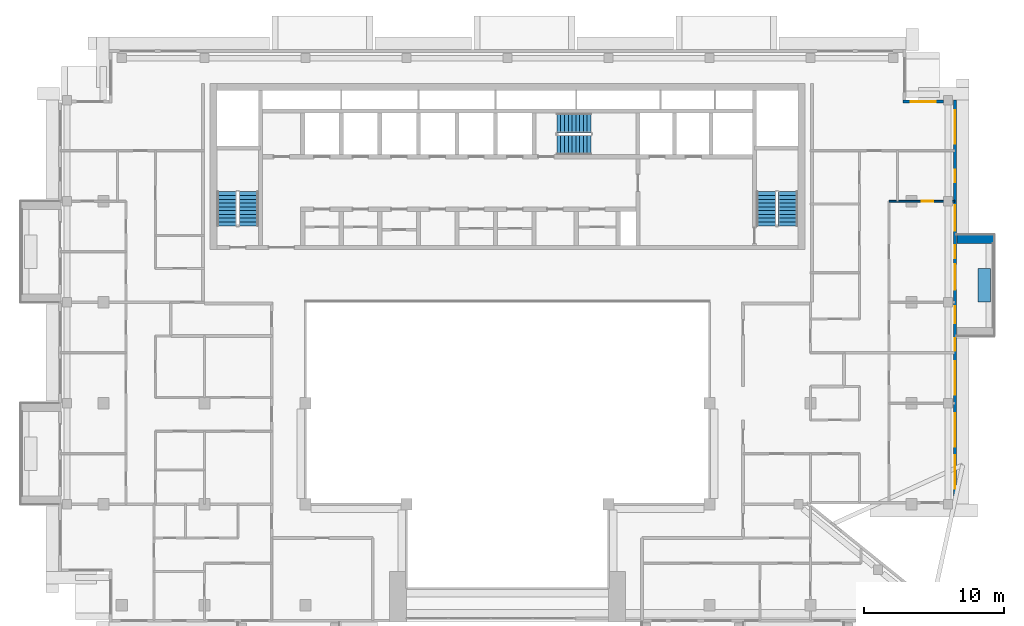
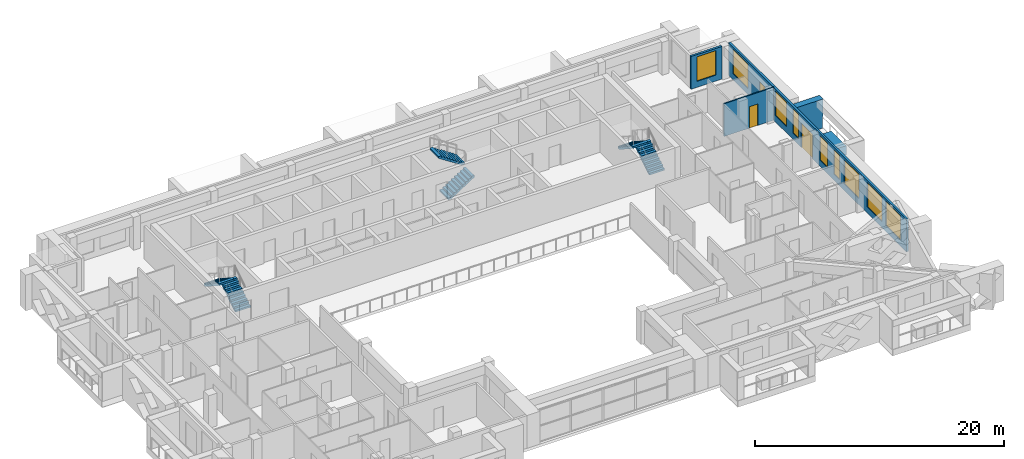
# One storey, part 12 of 19: 10 windows, 6 stair flights, 5 walls, 2 doors, 12 openings, 3 elements without a shape of their own.
"""IFC4 building model written with IfcOpenShell, lengths in metres."""

from ifc_helpers import new_model, si_unit, direction, frame, frame_2d, origin, place, context, subcontext, project, spatial, polyline, rectangle, outline, extrude, material, layer, layer_set, type_object, element, fill, aggregate, save


model = new_model("IFC4")

# Units and contexts
model_context = context("Model", 3, precision=1e-05, world=origin(), true_north=direction((0.0, 1.0)))
body_context = subcontext(model_context, "Body", "Model", "MODEL_VIEW")
ifc_project = project(units=[si_unit("LENGTHUNIT", "METRE"), si_unit("AREAUNIT", "SQUARE_METRE"), si_unit("VOLUMEUNIT", "CUBIC_METRE"), si_unit("PLANEANGLEUNIT", "RADIAN"), si_unit("MASSUNIT", "GRAM", prefix="KILO")], contexts=[model_context])

# Site, building, storey
site_placement = place(None, origin())
site = spatial("IfcSite", under=ifc_project, at=site_placement, CompositionType="ELEMENT")
building_placement = place(site_placement, origin())
building = spatial("IfcBuilding", under=site, at=building_placement, Name="Saffron Iwan Residences", CompositionType="ELEMENT")
storey_placement = place(building_placement, frame((0.0, 0.0, 246.5)))
storey = spatial("IfcBuildingStorey", under=building, at=storey_placement, Name="L66", CompositionType="ELEMENT", Elevation=246.5)

# Walls
ifc_material_1 = material(Name="Concrete C50/60 white painted", Category="concrete")
ifc_layer_1 = layer(ifc_material_1, 0.60009765625)
ifc_layer_set_1 = layer_set([ifc_layer_1], Name="Concrete C50/60 white painted")
wall_type_1 = type_object("IfcWallType", Name="BALCONY FIN 600", PredefinedType="SOLIDWALL", material=ifc_layer_set_1)
wall_1_placement = place(storey_placement, frame((82.449951171875, 66.89990234375, 0.0), z_axis=(0.0, 0.0, 1.0), x_axis=(1.0, 0.0, 0.0)))
element("IfcWall", 1, at=wall_1_placement, inside=storey, type_object=wall_type_1, Name="Balcony fin L66 F2-0b", PredefinedType="SOLIDWALL", context=body_context, shape_type="SweptSolid", body=[
    extrude(rectangle(XDim=2.650146484375, YDim=0.60009765625, at=frame_2d((1.3251953125, 0.0))), origin(), (0.0, 0.0, 1.0), 2.85009765625),
])
ifc_material_2 = material(Name="Concrete C35/45 white painted", Category="concrete")
ifc_layer_2 = layer(ifc_material_2, 0.14990234375)
ifc_layer_set_2 = layer_set([ifc_layer_2], Name="Concrete C35/45 white painted")
wall_type_2 = type_object("IfcWallType", Name="BALCONY PLANTER", PredefinedType="SOLIDWALL", material=ifc_layer_set_2)
wall_2_placement = place(storey_placement, frame((84.375, 62.39990234375, 0.0), z_axis=(0.0, 0.0, 1.0), x_axis=(0.0, 1.0, 0.0)))
element("IfcWall", 2, at=wall_2_placement, inside=storey, type_object=wall_type_2, Name="PLANTER L66 F2-0", PredefinedType="SOLIDWALL", context=body_context, shape_type="SweptSolid", body=[
    extrude(rectangle(XDim=2.400146484375, YDim=0.89990234375, at=frame_2d((1.2001953125, 0.0))), origin(), (0.0, 0.0, 1.0), 0.89990234375),
])

# Wall, openings, door, windows
ifc_material_3 = material(Name="Concrete C40/50", Category="concrete")
ifc_layer_3 = layer(ifc_material_3, 0.199951171875)
ifc_layer_set_3 = layer_set([ifc_layer_3], Name="Concrete C40/50")
wall_type_3 = type_object("IfcWallType", Name="EXTERNAL WALL 200", PredefinedType="SOLIDWALL", material=ifc_layer_set_3)
wall_3_placement = place(storey_placement, frame((82.300048828125, 48.199951171875, 0.0), z_axis=(0.0, 0.0, 1.0), x_axis=(0.0, 1.0, 0.0)))
wall_3 = element("IfcWall", 3, at=wall_3_placement, inside=storey, type_object=wall_type_3, Name="External wall L66 F2.0", PredefinedType="SOLIDWALL", context=body_context, shape_type="SweptSolid", body=[
    extrude(rectangle(XDim=28.60009765625, YDim=0.199951171875, at=frame_2d((14.300048828125, 0.0))), origin(), (0.0, 0.0, 1.0), 3.219970703125),
])
opening_1_placement = place(wall_3_placement, frame((15.10009765625, 0.0, 0.0)))
opening_1 = element("IfcOpeningElement", 4, at=opening_1_placement, cuts=wall_3, Name="Opening BD1", PredefinedType="OPENING", context=body_context, shape_type="SweptSolid", body=[
    extrude(rectangle(XDim=1.800048828125, YDim=2.39990234375, at=frame_2d((0.89990234375, 1.199951171875))), frame((0.0, 0.10986328125, 0.0), z_axis=(0.0, -1.0, 0.0), x_axis=(1.0, 0.0, 0.0)), (0.0, 0.0, 1.0), 0.219970703125),
])
opening_2_placement = place(wall_3_placement, frame((0.89990234375, 0.0, 0.60009765625)))
opening_2 = element("IfcOpeningElement", 5, at=opening_2_placement, cuts=wall_3, Name="Opening W1", PredefinedType="OPENING", context=body_context, shape_type="SweptSolid", body=[
    extrude(rectangle(XDim=2.39990234375, YDim=2.39990234375, at=frame_2d((1.199951171875, 1.199951171875))), frame((0.0, 0.10986328125, 0.0), z_axis=(0.0, -1.0, 0.0), x_axis=(1.0, 0.0, 0.0)), (0.0, 0.0, 1.0), 0.219970703125),
])
opening_3_placement = place(wall_3_placement, frame((3.89990234375, 0.0, 0.60009765625)))
opening_3 = element("IfcOpeningElement", 6, at=opening_3_placement, cuts=wall_3, Name="Opening W1", PredefinedType="OPENING", context=body_context, shape_type="SweptSolid", body=[
    extrude(rectangle(XDim=2.39990234375, YDim=2.39990234375, at=frame_2d((1.199951171875, 1.199951171875))), frame((0.0, 0.10986328125, 0.0), z_axis=(0.0, -1.0, 0.0), x_axis=(1.0, 0.0, 0.0)), (0.0, 0.0, 1.0), 0.219970703125),
])
opening_4_placement = place(wall_3_placement, frame((7.60009765625, 0.0, 0.60009765625)))
opening_4 = element("IfcOpeningElement", 7, at=opening_4_placement, cuts=wall_3, Name="Opening W1", PredefinedType="OPENING", context=body_context, shape_type="SweptSolid", body=[
    extrude(rectangle(XDim=2.39990234375, YDim=2.39990234375, at=frame_2d((1.199951171875, 1.199951171875))), frame((0.0, 0.10986328125, 0.0), z_axis=(0.0, -1.0, 0.0), x_axis=(1.0, 0.0, 0.0)), (0.0, 0.0, 1.0), 0.219970703125),
])
opening_5_placement = place(wall_3_placement, frame((10.75, 0.0, 0.60009765625)))
opening_5 = element("IfcOpeningElement", 8, at=opening_5_placement, cuts=wall_3, Name="Opening W10", PredefinedType="OPENING", context=body_context, shape_type="SweptSolid", body=[
    extrude(rectangle(XDim=0.89990234375, YDim=2.39990234375, at=frame_2d((0.449951171875, 1.199951171875))), frame((0.0, 0.10986328125, 0.0), z_axis=(0.0, -1.0, 0.0), x_axis=(1.0, 0.0, 0.0)), (0.0, 0.0, 1.0), 0.219970703125),
])
opening_6_placement = place(wall_3_placement, frame((12.699951171875, 0.0, 0.60009765625)))
opening_6 = element("IfcOpeningElement", 9, at=opening_6_placement, cuts=wall_3, Name="Opening W3", PredefinedType="OPENING", context=body_context, shape_type="SweptSolid", body=[
    extrude(rectangle(XDim=1.199951171875, YDim=2.39990234375, at=frame_2d((0.60009765625, 1.199951171875))), frame((0.0, 0.10986328125, 0.0), z_axis=(0.0, -1.0, 0.0), x_axis=(1.0, 0.0, 0.0)), (0.0, 0.0, 1.0), 0.219970703125),
])
opening_7_placement = place(wall_3_placement, frame((17.35009765625, 0.0, 0.60009765625)))
opening_7 = element("IfcOpeningElement", 10, at=opening_7_placement, cuts=wall_3, Name="Opening W10", PredefinedType="OPENING", context=body_context, shape_type="SweptSolid", body=[
    extrude(rectangle(XDim=0.89990234375, YDim=2.39990234375, at=frame_2d((0.449951171875, 1.199951171875))), frame((0.0, 0.10986328125, 0.0), z_axis=(0.0, -1.0, 0.0), x_axis=(1.0, 0.0, 0.0)), (0.0, 0.0, 1.0), 0.219970703125),
])
opening_8_placement = place(wall_3_placement, frame((19.300048828125, 0.0, 0.60009765625)))
opening_8 = element("IfcOpeningElement", 11, at=opening_8_placement, cuts=wall_3, Name="Opening W8", PredefinedType="OPENING", context=body_context, shape_type="SweptSolid", body=[
    extrude(rectangle(XDim=1.800048828125, YDim=2.39990234375, at=frame_2d((0.89990234375, 1.199951171875))), frame((0.0, 0.10986328125, 0.0), z_axis=(0.0, -1.0, 0.0), x_axis=(1.0, 0.0, 0.0)), (0.0, 0.0, 1.0), 0.219970703125),
])
opening_9_placement = place(wall_3_placement, frame((22.75, 0.0, 1.5)))
opening_9 = element("IfcOpeningElement", 12, at=opening_9_placement, cuts=wall_3, Name="Opening W6", PredefinedType="OPENING", context=body_context, shape_type="SweptSolid", body=[
    extrude(rectangle(XDim=0.89990234375, YDim=0.89990234375, at=frame_2d((0.449951171875, 0.449951171875))), frame((0.0, 0.10986328125, 0.0), z_axis=(0.0, -1.0, 0.0), x_axis=(1.0, 0.0, 0.0)), (0.0, 0.0, 1.0), 0.219970703125),
])
opening_10_placement = place(wall_3_placement, frame((25.5, 0.0, 0.60009765625)))
opening_10 = element("IfcOpeningElement", 13, at=opening_10_placement, cuts=wall_3, Name="Opening W1", PredefinedType="OPENING", context=body_context, shape_type="SweptSolid", body=[
    extrude(rectangle(XDim=2.39990234375, YDim=2.39990234375, at=frame_2d((1.199951171875, 1.199951171875))), frame((0.0, 0.10986328125, 0.0), z_axis=(0.0, -1.0, 0.0), x_axis=(1.0, 0.0, 0.0)), (0.0, 0.0, 1.0), 0.219970703125),
])
ifc_material_4 = material(Name="Clear glass, laminated double glazed", Category="glass")
door_type_1 = type_object("IfcDoorType", Name="BALCONY DOOR 1800 x 2400", OperationType="DOUBLE_DOOR_SLIDING", PredefinedType="DOOR", material=ifc_material_4)
door_1_placement = place(opening_1_placement, origin())
door_1 = element("IfcDoor", 14, at=door_1_placement, inside=storey, type_object=door_type_1, Name="Balcony door L66 F2.0", OperationType="DOUBLE_DOOR_SLIDING", OverallHeight=2.39990234375, OverallWidth=1.800048828125, PredefinedType="DOOR", context=body_context, shape_type="SweptSolid", body=[
    extrude(rectangle(XDim=1.800048828125, YDim=2.39990234375, at=frame_2d((0.89990234375, 1.199951171875))), frame((0.0, 0.02490234375, 0.0), z_axis=(0.0, -1.0, 0.0), x_axis=(1.0, 0.0, 0.0)), (0.0, 0.0, 1.0), 0.050048828125),
])
fill(opening_1, door_1)
window_type_1 = type_object("IfcWindowType", Name="WINDOW 1200 x 2400", PartitioningType="SINGLE_PANEL", PredefinedType="WINDOW", material=ifc_material_4)
window_1_placement = place(opening_6_placement, origin())
window_1 = element("IfcWindow", 15, at=window_1_placement, inside=storey, type_object=window_type_1, Name="Window L66 F2.5", OverallHeight=2.39990234375, OverallWidth=1.199951171875, PartitioningType="SINGLE_PANEL", PredefinedType="WINDOW", context=body_context, shape_type="SweptSolid", body=[
    extrude(rectangle(XDim=1.199951171875, YDim=2.39990234375, at=frame_2d((0.60009765625, 1.199951171875))), frame((0.0, 0.030029296875, 0.0), z_axis=(0.0, -1.0, 0.0), x_axis=(1.0, 0.0, 0.0)), (0.0, 0.0, 1.0), 0.06005859375),
])
fill(opening_6, window_1)
window_type_2 = type_object("IfcWindowType", Name="WINDOW 1800 x 2400", PartitioningType="DOUBLE_PANEL_VERTICAL", PredefinedType="WINDOW", material=ifc_material_4)
window_2_placement = place(opening_8_placement, origin())
window_2 = element("IfcWindow", 16, at=window_2_placement, inside=storey, type_object=window_type_2, Name="Window L66 F2.7", OverallHeight=2.39990234375, OverallWidth=1.800048828125, PartitioningType="DOUBLE_PANEL_VERTICAL", PredefinedType="WINDOW", context=body_context, shape_type="SweptSolid", body=[
    extrude(rectangle(XDim=1.800048828125, YDim=2.39990234375, at=frame_2d((0.89990234375, 1.199951171875))), frame((0.0, 0.030029296875, 0.0), z_axis=(0.0, -1.0, 0.0), x_axis=(1.0, 0.0, 0.0)), (0.0, 0.0, 1.0), 0.06005859375),
])
fill(opening_8, window_2)
window_type_3 = type_object("IfcWindowType", Name="WINDOW 2400 x 2400", PartitioningType="DOUBLE_PANEL_VERTICAL", PredefinedType="WINDOW", material=ifc_material_4)
window_3_placement = place(opening_2_placement, origin())
window_3 = element("IfcWindow", 17, at=window_3_placement, inside=storey, type_object=window_type_3, Name="Window L66 F2.1", OverallHeight=2.39990234375, OverallWidth=2.39990234375, PartitioningType="DOUBLE_PANEL_VERTICAL", PredefinedType="WINDOW", context=body_context, shape_type="SweptSolid", body=[
    extrude(rectangle(XDim=2.39990234375, YDim=2.39990234375, at=frame_2d((1.199951171875, 1.199951171875))), frame((0.0, 0.030029296875, 0.0), z_axis=(0.0, -1.0, 0.0), x_axis=(1.0, 0.0, 0.0)), (0.0, 0.0, 1.0), 0.06005859375),
])
fill(opening_2, window_3)
window_4_placement = place(opening_3_placement, origin())
window_4 = element("IfcWindow", 18, at=window_4_placement, inside=storey, type_object=window_type_3, Name="Window L66 F2.2", OverallHeight=2.39990234375, OverallWidth=2.39990234375, PartitioningType="DOUBLE_PANEL_VERTICAL", PredefinedType="WINDOW", context=body_context, shape_type="SweptSolid", body=[
    extrude(rectangle(XDim=2.39990234375, YDim=2.39990234375, at=frame_2d((1.199951171875, 1.199951171875))), frame((0.0, 0.030029296875, 0.0), z_axis=(0.0, -1.0, 0.0), x_axis=(1.0, 0.0, 0.0)), (0.0, 0.0, 1.0), 0.06005859375),
])
fill(opening_3, window_4)
window_5_placement = place(opening_4_placement, origin())
window_5 = element("IfcWindow", 19, at=window_5_placement, inside=storey, type_object=window_type_3, Name="Window L66 F2.3", OverallHeight=2.39990234375, OverallWidth=2.39990234375, PartitioningType="DOUBLE_PANEL_VERTICAL", PredefinedType="WINDOW", context=body_context, shape_type="SweptSolid", body=[
    extrude(rectangle(XDim=2.39990234375, YDim=2.39990234375, at=frame_2d((1.199951171875, 1.199951171875))), frame((0.0, 0.030029296875, 0.0), z_axis=(0.0, -1.0, 0.0), x_axis=(1.0, 0.0, 0.0)), (0.0, 0.0, 1.0), 0.06005859375),
])
fill(opening_4, window_5)
window_6_placement = place(opening_10_placement, origin())
window_6 = element("IfcWindow", 20, at=window_6_placement, inside=storey, type_object=window_type_3, Name="Window L66 F2.9", OverallHeight=2.39990234375, OverallWidth=2.39990234375, PartitioningType="DOUBLE_PANEL_VERTICAL", PredefinedType="WINDOW", context=body_context, shape_type="SweptSolid", body=[
    extrude(rectangle(XDim=2.39990234375, YDim=2.39990234375, at=frame_2d((1.199951171875, 1.199951171875))), frame((0.0, 0.030029296875, 0.0), z_axis=(0.0, -1.0, 0.0), x_axis=(1.0, 0.0, 0.0)), (0.0, 0.0, 1.0), 0.06005859375),
])
fill(opening_10, window_6)
window_type_4 = type_object("IfcWindowType", Name="WINDOW 900 x 2400", PartitioningType="SINGLE_PANEL", PredefinedType="WINDOW", material=ifc_material_4)
window_7_placement = place(opening_5_placement, origin())
window_7 = element("IfcWindow", 21, at=window_7_placement, inside=storey, type_object=window_type_4, Name="Window L66 F2.4", OverallHeight=2.39990234375, OverallWidth=0.89990234375, PartitioningType="SINGLE_PANEL", PredefinedType="WINDOW", context=body_context, shape_type="SweptSolid", body=[
    extrude(rectangle(XDim=0.89990234375, YDim=2.39990234375, at=frame_2d((0.449951171875, 1.199951171875))), frame((0.0, 0.030029296875, 0.0), z_axis=(0.0, -1.0, 0.0), x_axis=(1.0, 0.0, 0.0)), (0.0, 0.0, 1.0), 0.06005859375),
])
fill(opening_5, window_7)
window_8_placement = place(opening_7_placement, origin())
window_8 = element("IfcWindow", 22, at=window_8_placement, inside=storey, type_object=window_type_4, Name="Window L66 F2.6", OverallHeight=2.39990234375, OverallWidth=0.89990234375, PartitioningType="SINGLE_PANEL", PredefinedType="WINDOW", context=body_context, shape_type="SweptSolid", body=[
    extrude(rectangle(XDim=0.89990234375, YDim=2.39990234375, at=frame_2d((0.449951171875, 1.199951171875))), frame((0.0, 0.030029296875, 0.0), z_axis=(0.0, -1.0, 0.0), x_axis=(1.0, 0.0, 0.0)), (0.0, 0.0, 1.0), 0.06005859375),
])
fill(opening_7, window_8)
window_type_5 = type_object("IfcWindowType", Name="WINDOW 900 x 900 BATH", PartitioningType="SINGLE_PANEL", PredefinedType="WINDOW", material=ifc_material_4)
window_9_placement = place(opening_9_placement, origin())
window_9 = element("IfcWindow", 23, at=window_9_placement, inside=storey, type_object=window_type_5, Name="Window L66 F2.8", OverallHeight=0.89990234375, OverallWidth=0.89990234375, PartitioningType="SINGLE_PANEL", PredefinedType="WINDOW", context=body_context, shape_type="SweptSolid", body=[
    extrude(rectangle(XDim=0.89990234375, YDim=0.89990234375, at=frame_2d((0.449951171875, 0.449951171875))), frame((0.0, 0.030029296875, 0.0), z_axis=(0.0, -1.0, 0.0), x_axis=(1.0, 0.0, 0.0)), (0.0, 0.0, 1.0), 0.06005859375),
])
fill(opening_9, window_9)

# Wall, opening, window
wall_4_placement = place(storey_placement, frame((81.47509765625, 76.699951171875, 0.0), z_axis=(0.0, 0.0, 1.0), x_axis=(-1.0, 0.0, 0.0)))
wall_4 = element("IfcWall", 24, at=wall_4_placement, inside=storey, type_object=wall_type_3, Name="External wall L66 F3.0", PredefinedType="SOLIDWALL", context=body_context, shape_type="SweptSolid", body=[
    extrude(rectangle(XDim=2.875, YDim=0.199951171875, at=frame_2d((1.4375, 0.0))), origin(), (0.0, 0.0, 1.0), 3.219970703125),
])
opening_11_placement = place(wall_4_placement, frame((0.53759765625, 0.0, 0.60009765625)))
opening_11 = element("IfcOpeningElement", 25, at=opening_11_placement, cuts=wall_4, Name="Opening W8", PredefinedType="OPENING", context=body_context, shape_type="SweptSolid", body=[
    extrude(rectangle(XDim=1.800048828125, YDim=2.39990234375, at=frame_2d((0.89990234375, 1.199951171875))), frame((0.0, 0.10986328125, 0.0), z_axis=(0.0, -1.0, 0.0), x_axis=(1.0, 0.0, 0.0)), (0.0, 0.0, 1.0), 0.219970703125),
])
window_10_placement = place(opening_11_placement, origin())
window_10 = element("IfcWindow", 26, at=window_10_placement, inside=storey, type_object=window_type_2, Name="Window L66 F3.0", OverallHeight=2.39990234375, OverallWidth=1.800048828125, PartitioningType="DOUBLE_PANEL_VERTICAL", PredefinedType="WINDOW", context=body_context, shape_type="SweptSolid", body=[
    extrude(rectangle(XDim=1.800048828125, YDim=2.39990234375, at=frame_2d((0.89990234375, 1.199951171875))), frame((0.0, 0.030029296875, 0.0), z_axis=(0.0, -1.0, 0.0), x_axis=(1.0, 0.0, 0.0)), (0.0, 0.0, 1.0), 0.06005859375),
])
fill(opening_11, window_10)

# Wall, opening, door
ifc_material_5 = material(Name="Gypsum board partition")
ifc_layer_4 = layer(ifc_material_5, 0.1201171875)
ifc_layer_set_4 = layer_set([ifc_layer_4], Name="Gypsum board partition")
wall_type_4 = type_object("IfcWallType", Name="Flat partition 120", PredefinedType="PARTITIONING", material=ifc_layer_set_4)
wall_5_placement = place(storey_placement, frame((77.60009765625, 69.60009765625, 0.0), z_axis=(0.0, 0.0, 1.0), x_axis=(1.0, 0.0, 0.0)))
wall_5 = element("IfcWall", 27, at=wall_5_placement, inside=storey, type_object=wall_type_4, Name="W-L66-PART-h69.6-77.6", PredefinedType="PARTITIONING", context=body_context, shape_type="SweptSolid", body=[
    extrude(rectangle(XDim=4.6748046875, YDim=0.1201171875, at=frame_2d((2.33740234375, 0.0))), origin(), (0.0, 0.0, 1.0), 3.219970703125),
])
opening_12_placement = place(wall_5_placement, frame((2.33740234375, 0.0, 0.0)))
opening_12 = element("IfcOpeningElement", 28, at=opening_12_placement, cuts=wall_5, Name="Opening FD3", PredefinedType="OPENING", context=body_context, shape_type="SweptSolid", body=[
    extrude(rectangle(XDim=0.800048828125, YDim=2.10009765625, at=frame_2d((0.39990234375, 1.050048828125))), frame((0.0, 0.070068359375, 0.0), z_axis=(0.0, -1.0, 0.0), x_axis=(1.0, 0.0, 0.0)), (0.0, 0.0, 1.0), 0.14013671875),
])
ifc_material_6 = material(Name="Timber door", Category="wood")
door_type_2 = type_object("IfcDoorType", Name="Bathroom door 800", OperationType="NOTDEFINED", PredefinedType="DOOR", material=ifc_material_6)
door_2_placement = place(opening_12_placement, origin())
door_2 = element("IfcDoor", 29, at=door_2_placement, inside=storey, type_object=door_type_2, Name="Door L66-035", OperationType="SINGLE_SWING_RIGHT", OverallHeight=2.10009765625, OverallWidth=0.800048828125, PredefinedType="DOOR", context=body_context, shape_type="SweptSolid", body=[
    extrude(rectangle(XDim=0.800048828125, YDim=2.10009765625, at=frame_2d((0.39990234375, 1.050048828125))), frame((0.0, 0.02490234375, 0.0), z_axis=(0.0, -1.0, 0.0), x_axis=(1.0, 0.0, 0.0)), (0.0, 0.0, 1.0), 0.050048828125),
])
fill(opening_12, door_2)

# Stair, stair flights
ifc_material_7 = material(Name="Concrete C50/60", Category="concrete")
stair_type = type_object("IfcStairType", Name="Stair ST-CORE", PredefinedType="HALF_TURN_STAIR", material=ifc_material_7)
stair_1_placement = place(storey_placement, origin())
stair_1 = element("IfcStair", 30, at=stair_1_placement, inside=storey, type_object=stair_type, Name="L66 Exit Stair ST-W", PredefinedType="HALF_TURN_STAIR")
ifc_layer_5 = layer(ifc_material_7, 0.14990234375)
ifc_layer_set_5 = layer_set([ifc_layer_5], Name="Concrete C50/60")
stair_flight_type = type_object("IfcStairFlightType", Name="Stair flight SFL-RC", PredefinedType="STRAIGHT", material=ifc_layer_set_5)
stair_flight_1_placement = place(storey_placement, frame((31.949951171875, 67.85009765625, 0.0), z_axis=(0.0, 0.0, 1.0), x_axis=(0.0, 1.0, 0.0)))
stair_flight_1 = element("IfcStairFlight", 31, at=stair_flight_1_placement, type_object=stair_flight_type, Name="ST-W flight 1", NumberOfRisers=10, NumberOfTreads=9, PredefinedType="STRAIGHT", RiserHeight=0.175, TreadLength=0.27, context=body_context, shape_type="SweptSolid", body=[
    extrude(outline(polyline([(0.0, 0.0), (0.0, 0.175048828125), (0.27001953125, 0.175048828125), (0.27001953125, 0.35009765625), (0.5400390625, 0.35009765625), (0.5400390625, 0.52490234375), (0.81005859375, 0.52490234375), (0.81005859375, 0.699951171875), (1.080078125, 0.699951171875), (1.080078125, 0.875), (1.35009765625, 0.875), (1.35009765625, 1.050048828125), (1.6201171875, 1.050048828125), (1.6201171875, 1.22509765625), (1.889892578125, 1.22509765625), (1.889892578125, 1.39990234375), (2.159912109375, 1.39990234375), (2.159912109375, 1.574951171875), (2.429931640625, 1.574951171875), (2.429931640625, 1.75), (2.429931640625, 1.396484375), (0.275634765625, 0.0), (0.0, 0.0)])), frame((0.0, 0.699951171875, 0.0), z_axis=(0.0, -1.0, 0.0), x_axis=(1.0, 0.0, 0.0)), (0.0, 0.0, 1.0), 1.39990234375),
])
stair_flight_2_placement = place(storey_placement, frame((30.39990234375, 70.280029296875, 1.75), z_axis=(0.0, 0.0, 1.0), x_axis=(0.0, -1.0, 0.0)))
stair_flight_2 = element("IfcStairFlight", 32, at=stair_flight_2_placement, type_object=stair_flight_type, Name="ST-W flight 2", NumberOfRisers=10, NumberOfTreads=9, PredefinedType="STRAIGHT", RiserHeight=0.175, TreadLength=0.27, context=body_context, shape_type="SweptSolid", body=[
    extrude(outline(polyline([(0.0, 0.0), (0.0, 0.175048828125), (0.27001953125, 0.175048828125), (0.27001953125, 0.35009765625), (0.5400390625, 0.35009765625), (0.5400390625, 0.52490234375), (0.81005859375, 0.52490234375), (0.81005859375, 0.699951171875), (1.080078125, 0.699951171875), (1.080078125, 0.875), (1.35009765625, 0.875), (1.35009765625, 1.050048828125), (1.6201171875, 1.050048828125), (1.6201171875, 1.22509765625), (1.889892578125, 1.22509765625), (1.889892578125, 1.39990234375), (2.159912109375, 1.39990234375), (2.159912109375, 1.574951171875), (2.429931640625, 1.574951171875), (2.429931640625, 1.75), (2.429931640625, 1.396484375), (0.275634765625, 0.0), (0.0, 0.0)])), frame((0.0, 0.699951171875, 0.0), z_axis=(0.0, -1.0, 0.0), x_axis=(1.0, 0.0, 0.0)), (0.0, 0.0, 1.0), 1.39990234375),
])
aggregate(stair_1, [stair_flight_1, stair_flight_2])

stair_2_placement = place(storey_placement, origin())
stair_2 = element("IfcStair", 33, at=stair_2_placement, inside=storey, type_object=stair_type, Name="L66 Exit Stair ST-C", PredefinedType="HALF_TURN_STAIR")
stair_flight_3_placement = place(storey_placement, frame((53.925048828125, 73.625, 0.0), z_axis=(0.0, 0.0, 1.0), x_axis=(1.0, 0.0, 0.0)))
stair_flight_3 = element("IfcStairFlight", 34, at=stair_flight_3_placement, type_object=stair_flight_type, Name="ST-C flight 1", NumberOfRisers=10, NumberOfTreads=9, PredefinedType="STRAIGHT", RiserHeight=0.175, TreadLength=0.27, context=body_context, shape_type="SweptSolid", body=[
    extrude(outline(polyline([(0.0, 0.0), (0.0, 0.175048828125), (0.27001953125, 0.175048828125), (0.27001953125, 0.35009765625), (0.5400390625, 0.35009765625), (0.5400390625, 0.52490234375), (0.81005859375, 0.52490234375), (0.81005859375, 0.699951171875), (1.080078125, 0.699951171875), (1.080078125, 0.875), (1.35009765625, 0.875), (1.35009765625, 1.050048828125), (1.6201171875, 1.050048828125), (1.6201171875, 1.22509765625), (1.889892578125, 1.22509765625), (1.889892578125, 1.39990234375), (2.159912109375, 1.39990234375), (2.159912109375, 1.574951171875), (2.429931640625, 1.574951171875), (2.429931640625, 1.75), (2.429931640625, 1.396484375), (0.275634765625, 0.0), (0.0, 0.0)])), frame((0.0, 0.699951171875, 0.0), z_axis=(0.0, -1.0, 0.0), x_axis=(1.0, 0.0, 0.0)), (0.0, 0.0, 1.0), 1.39990234375),
])
stair_flight_4_placement = place(storey_placement, frame((56.35498046875, 75.175048828125, 1.75), z_axis=(0.0, 0.0, 1.0), x_axis=(-1.0, 0.0, 0.0)))
stair_flight_4 = element("IfcStairFlight", 35, at=stair_flight_4_placement, type_object=stair_flight_type, Name="ST-C flight 2", NumberOfRisers=10, NumberOfTreads=9, PredefinedType="STRAIGHT", RiserHeight=0.175, TreadLength=0.27, context=body_context, shape_type="SweptSolid", body=[
    extrude(outline(polyline([(0.0, 0.0), (0.0, 0.175048828125), (0.27001953125, 0.175048828125), (0.27001953125, 0.35009765625), (0.5400390625, 0.35009765625), (0.5400390625, 0.52490234375), (0.81005859375, 0.52490234375), (0.81005859375, 0.699951171875), (1.080078125, 0.699951171875), (1.080078125, 0.875), (1.35009765625, 0.875), (1.35009765625, 1.050048828125), (1.6201171875, 1.050048828125), (1.6201171875, 1.22509765625), (1.889892578125, 1.22509765625), (1.889892578125, 1.39990234375), (2.159912109375, 1.39990234375), (2.159912109375, 1.574951171875), (2.429931640625, 1.574951171875), (2.429931640625, 1.75), (2.429931640625, 1.396484375), (0.275634765625, 0.0), (0.0, 0.0)])), frame((0.0, 0.699951171875, 0.0), z_axis=(0.0, -1.0, 0.0), x_axis=(1.0, 0.0, 0.0)), (0.0, 0.0, 1.0), 1.39990234375),
])
aggregate(stair_2, [stair_flight_3, stair_flight_4])

stair_3_placement = place(storey_placement, origin())
stair_3 = element("IfcStair", 36, at=stair_3_placement, inside=storey, type_object=stair_type, Name="L66 Exit Stair ST-E", PredefinedType="HALF_TURN_STAIR")
stair_flight_5_placement = place(storey_placement, frame((70.39990234375, 67.85009765625, 0.0), z_axis=(0.0, 0.0, 1.0), x_axis=(0.0, 1.0, 0.0)))
stair_flight_5 = element("IfcStairFlight", 37, at=stair_flight_5_placement, type_object=stair_flight_type, Name="ST-E flight 1", NumberOfRisers=10, NumberOfTreads=9, PredefinedType="STRAIGHT", RiserHeight=0.175, TreadLength=0.27, context=body_context, shape_type="SweptSolid", body=[
    extrude(outline(polyline([(0.0, 0.0), (0.0, 0.175048828125), (0.27001953125, 0.175048828125), (0.27001953125, 0.35009765625), (0.5400390625, 0.35009765625), (0.5400390625, 0.52490234375), (0.81005859375, 0.52490234375), (0.81005859375, 0.699951171875), (1.080078125, 0.699951171875), (1.080078125, 0.875), (1.35009765625, 0.875), (1.35009765625, 1.050048828125), (1.6201171875, 1.050048828125), (1.6201171875, 1.22509765625), (1.889892578125, 1.22509765625), (1.889892578125, 1.39990234375), (2.159912109375, 1.39990234375), (2.159912109375, 1.574951171875), (2.429931640625, 1.574951171875), (2.429931640625, 1.75), (2.429931640625, 1.396484375), (0.275634765625, 0.0), (0.0, 0.0)])), frame((0.0, 0.699951171875, 0.0), z_axis=(0.0, -1.0, 0.0), x_axis=(1.0, 0.0, 0.0)), (0.0, 0.0, 1.0), 1.39990234375),
])
stair_flight_6_placement = place(storey_placement, frame((68.85009765625, 70.280029296875, 1.75), z_axis=(0.0, 0.0, 1.0), x_axis=(0.0, -1.0, 0.0)))
stair_flight_6 = element("IfcStairFlight", 38, at=stair_flight_6_placement, type_object=stair_flight_type, Name="ST-E flight 2", NumberOfRisers=10, NumberOfTreads=9, PredefinedType="STRAIGHT", RiserHeight=0.175, TreadLength=0.27, context=body_context, shape_type="SweptSolid", body=[
    extrude(outline(polyline([(0.0, 0.0), (0.0, 0.175048828125), (0.27001953125, 0.175048828125), (0.27001953125, 0.35009765625), (0.5400390625, 0.35009765625), (0.5400390625, 0.52490234375), (0.81005859375, 0.52490234375), (0.81005859375, 0.699951171875), (1.080078125, 0.699951171875), (1.080078125, 0.875), (1.35009765625, 0.875), (1.35009765625, 1.050048828125), (1.6201171875, 1.050048828125), (1.6201171875, 1.22509765625), (1.889892578125, 1.22509765625), (1.889892578125, 1.39990234375), (2.159912109375, 1.39990234375), (2.159912109375, 1.574951171875), (2.429931640625, 1.574951171875), (2.429931640625, 1.75), (2.429931640625, 1.396484375), (0.275634765625, 0.0), (0.0, 0.0)])), frame((0.0, 0.699951171875, 0.0), z_axis=(0.0, -1.0, 0.0), x_axis=(1.0, 0.0, 0.0)), (0.0, 0.0, 1.0), 1.39990234375),
])
aggregate(stair_3, [stair_flight_5, stair_flight_6])

save(model, "model.ifc")
